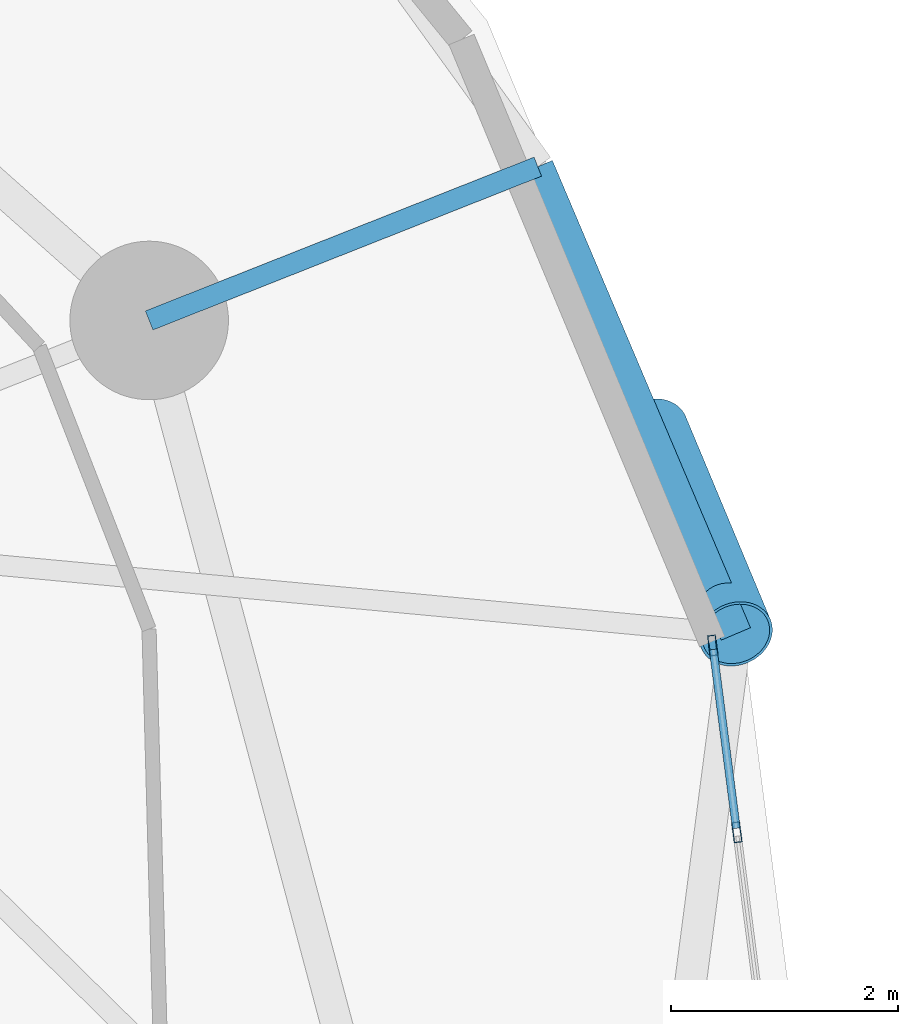
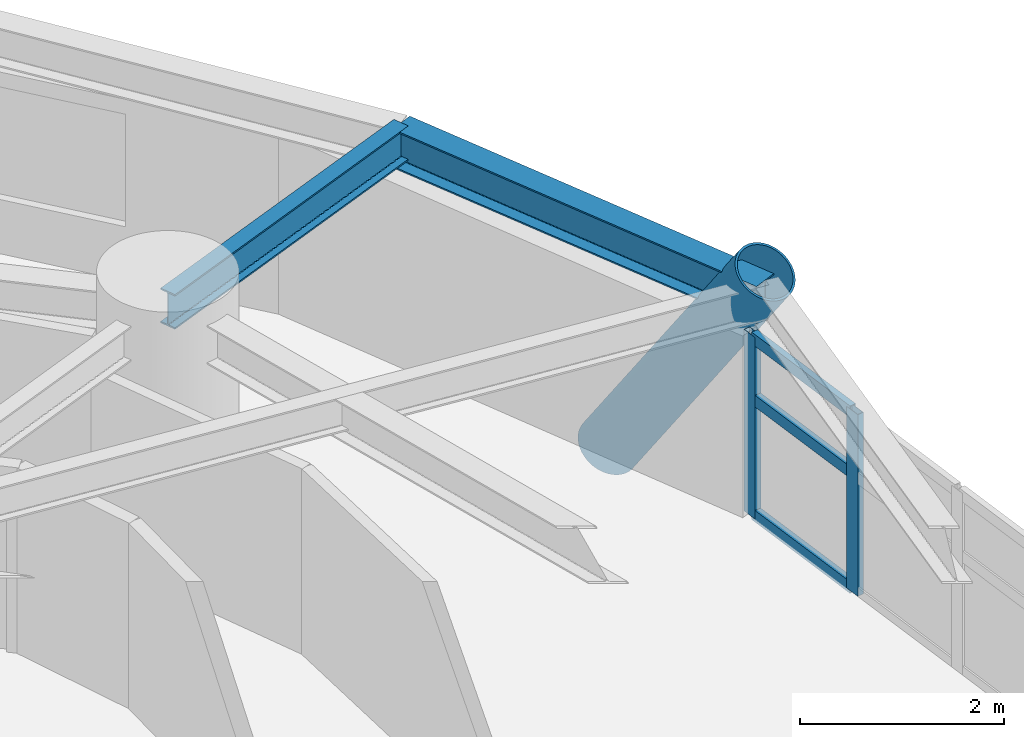
# One storey, part 4 of 17: 6 members, 2 beams, 1 element without a shape of its own.
"""IFC4 building model written with IfcOpenShell, lengths in metres."""

from ifc_helpers import new_model, si_unit, direction, frame, origin, origin_2d, place, context, subcontext, project, spatial, hollow_rectangle, hollow_circle, i_section, extrude, material, layer, layer_set, material_profile, profile_set, type_object, element, aggregate, save


model = new_model("IFC4")

# Units and contexts
model_context = context("Model", 3, precision=1e-05, world=origin(), true_north=direction((0.0, 1.0)))
body_context = subcontext(model_context, "Body", "Model", "MODEL_VIEW")
ifc_project = project(units=[si_unit("LENGTHUNIT", "METRE"), si_unit("AREAUNIT", "SQUARE_METRE"), si_unit("VOLUMEUNIT", "CUBIC_METRE"), si_unit("PLANEANGLEUNIT", "RADIAN"), si_unit("MASSUNIT", "GRAM", prefix="KILO")], contexts=[model_context])

# Site, building, storey
site_placement = place(None, origin())
site = spatial("IfcSite", under=ifc_project, at=site_placement, CompositionType="ELEMENT")
building_placement = place(site_placement, origin())
building = spatial("IfcBuilding", under=site, at=building_placement, Name="Cununo Teusaquillo Station Towers", CompositionType="ELEMENT")
storey_placement = place(building_placement, frame((0.0, 0.0, 90.52001953125)))
storey = spatial("IfcBuildingStorey", under=building, at=storey_placement, Name="L28", CompositionType="ELEMENT", Elevation=90.52001953125)

# Beams
ifc_material_1 = material(Name="Steel ASTM A572 Grade 50", Category="steel")
ifc_material_profile_1 = material_profile(ifc_material_1, i_section(OverallWidth=0.180908203125, OverallDepth=0.4169921875, WebThickness=0.010986328125, FlangeThickness=0.018310546875, FilletRadius=0.012939453125, at=origin_2d()), Name="W16X57")
ifc_profile_set_1 = profile_set([ifc_material_profile_1], Name="Steel ASTM A572 Grade 50")
beam_type_1 = type_object("IfcBeamType", Name="BM-RAD-G2", PredefinedType="BEAM", material=ifc_profile_set_1)
beam_1_placement = place(storey_placement, frame((26.347412109375, 33.228515625, 2.46142578125), z_axis=(0.929861788731, 0.367909029323, 0.0), x_axis=(-0.367909029323, 0.929861788731, 0.0)))
element("IfcBeam", 1, at=beam_1_placement, inside=storey, type_object=beam_type_1, Name="L28 Tower A Perimeter Overhang Girder 02B", PredefinedType="BEAM", context=body_context, shape_type="SweptSolid", body=[
    extrude(i_section(OverallWidth=0.180908203125, OverallDepth=0.4169921875, WebThickness=0.010986328125, FlangeThickness=0.018310546875, FilletRadius=0.012939453125, at=origin_2d()), origin(), (0.0, 0.0, 1.0), 3.690185546875),
])
ifc_material_2 = material(Name="Steel ASTM A572 Grade 50", Category="steel")
ifc_material_profile_2 = material_profile(ifc_material_2, i_section(OverallWidth=0.280029296875, OverallDepth=0.462890625, WebThickness=0.0107421875, FlangeThickness=0.017333984375, FilletRadius=0.013916015625, at=origin_2d()), Name="W18X76")
ifc_profile_set_2 = profile_set([ifc_material_profile_2], Name="Steel ASTM A572 Grade 50")
beam_type_2 = type_object("IfcBeamType", Name="BM-RING-Z2", PredefinedType="SPANDREL", material=ifc_profile_set_2)
beam_2_placement = place(storey_placement, frame((31.527587890625, 30.4609375, 2.4384765625), z_axis=(-0.390299356049, 0.920688010494, 0.0), x_axis=(-0.920688010494, -0.390299356049, 0.0)))
element("IfcBeam", 2, at=beam_2_placement, inside=storey, type_object=beam_type_2, Name="L28 Tower A Spandrel Ring Beam 02", PredefinedType="SPANDREL", context=body_context, shape_type="SweptSolid", body=[
    extrude(i_section(OverallWidth=0.280029296875, OverallDepth=0.462890625, WebThickness=0.0107421875, FlangeThickness=0.017333984375, FilletRadius=0.013916015625, at=origin_2d()), origin(), (0.0, 0.0, 1.0), 4.480712890625),
])

# Curtain wall, members
ifc_material_3 = material(Name="Ceramic-fritted dark low-E double glazing", Category="glass")
ifc_layer = layer(ifc_material_3, 0.179931640625)
ifc_layer_set = layer_set([ifc_layer], Name="Ceramic-fritted dark low-E double glazing")
curtain_wall_type = type_object("IfcCurtainWallType", Name="CW-SYS-04", PredefinedType="USERDEFINED", material=ifc_layer_set)
curtain_wall_placement = place(storey_placement, origin())
curtain_wall = element("IfcCurtainWall", 3, at=curtain_wall_placement, inside=storey, type_object=curtain_wall_type, Name="L28 Tower A Facade Curtain Wall C00", ObjectType="FRITTED GLAZING", PredefinedType="USERDEFINED")
ifc_material_4 = material(Name="Anodised dark bronze aluminium EN AW-6063-T6", Category="aluminium")
ifc_material_profile_3 = material_profile(ifc_material_4, hollow_rectangle(XDim=0.070068359375, YDim=0.179931640625, WallThickness=0.00390625, at=origin_2d()), Name="CW-MULL-70x180")
ifc_profile_set_3 = profile_set([ifc_material_profile_3], Name="Anodised dark bronze aluminium EN AW-6063-T6")
member_type_1 = type_object("IfcMemberType", Name="CWM-180", PredefinedType="MULLION", material=ifc_profile_set_3)
member_1_placement = place(storey_placement, frame((31.322998046875, 30.3583984375, 0.0), z_axis=(0.0, 0.0, 1.0), x_axis=(0.991730764367, 0.128335852387, 0.0)))
member_1 = element("IfcMember", 4, at=member_1_placement, type_object=member_type_1, Name="CW-04 mullion 1", PredefinedType="MULLION", context=body_context, shape_type="SweptSolid", body=[
    extrude(hollow_rectangle(XDim=0.070068359375, YDim=0.179931640625, WallThickness=0.00390625, at=origin_2d()), origin(), (0.0, 0.0, 1.0), 2.178955078125),
])
member_2_placement = place(storey_placement, frame((31.5361328125, 28.709716796875, 0.0), z_axis=(0.0, 0.0, 1.0), x_axis=(0.991730764367, 0.128335852387, 0.0)))
member_2 = element("IfcMember", 5, at=member_2_placement, type_object=member_type_1, Name="CW-04 mullion 2", PredefinedType="MULLION", context=body_context, shape_type="SweptSolid", body=[
    extrude(hollow_rectangle(XDim=0.070068359375, YDim=0.179931640625, WallThickness=0.00390625, at=origin_2d()), origin(), (0.0, 0.0, 1.0), 2.178955078125),
])
ifc_material_5 = material(Name="Anodised dark bronze aluminium EN AW-6063-T6", Category="aluminium")
ifc_material_profile_4 = material_profile(ifc_material_5, hollow_rectangle(XDim=0.070068359375, YDim=0.139892578125, WallThickness=0.00390625, at=origin_2d()), Name="CW-TRAN-70x140")
ifc_profile_set_4 = profile_set([ifc_material_profile_4], Name="Anodised dark bronze aluminium EN AW-6063-T6")
member_type_2 = type_object("IfcMemberType", Name="CWT-140", PredefinedType="USERDEFINED", material=ifc_profile_set_4)
member_3_placement = place(storey_placement, frame((31.327392578125, 30.323486328125, 0.034912109375), z_axis=(0.128336210724, -0.991730717996, 0.0), x_axis=(0.991730717996, 0.128336210724, 0.0)))
member_3 = element("IfcMember", 6, at=member_3_placement, type_object=member_type_2, Name="CW-04 transom 1.1", ObjectType="TRANSOM", PredefinedType="USERDEFINED", context=body_context, shape_type="SweptSolid", body=[
    extrude(hollow_rectangle(XDim=0.070068359375, YDim=0.139892578125, WallThickness=0.00390625, at=origin_2d()), origin(), (0.0, 0.0, 1.0), 1.59228515625),
])
member_4_placement = place(storey_placement, frame((31.327392578125, 30.323486328125, 1.416015625), z_axis=(0.128336210724, -0.991730717996, 0.0), x_axis=(0.991730717996, 0.128336210724, 0.0)))
member_4 = element("IfcMember", 7, at=member_4_placement, type_object=member_type_2, Name="CW-04 transom 1.2", ObjectType="TRANSOM", PredefinedType="USERDEFINED", context=body_context, shape_type="SweptSolid", body=[
    extrude(hollow_rectangle(XDim=0.070068359375, YDim=0.139892578125, WallThickness=0.00390625, at=origin_2d()), origin(), (0.0, 0.0, 1.0), 1.59228515625),
])
member_5_placement = place(storey_placement, frame((31.327392578125, 30.323486328125, 2.14404296875), z_axis=(0.128336210724, -0.991730717996, 0.0), x_axis=(0.991730717996, 0.128336210724, 0.0)))
member_5 = element("IfcMember", 8, at=member_5_placement, type_object=member_type_2, Name="CW-04 transom 1.3", ObjectType="TRANSOM", PredefinedType="USERDEFINED", context=body_context, shape_type="SweptSolid", body=[
    extrude(hollow_rectangle(XDim=0.070068359375, YDim=0.139892578125, WallThickness=0.00390625, at=origin_2d()), origin(), (0.0, 0.0, 1.0), 1.59228515625),
])
aggregate(curtain_wall, [member_1, member_2, member_3, member_4, member_5])

# Member
ifc_material_6 = material(Name="Steel EN 10025-2 S355J2", Category="steel")
ifc_material_profile_5 = material_profile(ifc_material_6, hollow_circle(Radius=0.330078125, WallThickness=0.02490234375, at=origin_2d()), Name="CHS 660x25")
ifc_profile_set_5 = profile_set([ifc_material_profile_5], Name="Steel EN 10025-2 S355J2")
member_type_3 = type_object("IfcMemberType", Name="MBR-DIAG-Z2", PredefinedType="BRACE", material=ifc_profile_set_5)
member_6_placement = place(storey_placement, frame((30.779541015625, 32.25341796875, -0.14013671875), z_axis=(0.213801258435, -0.512313589893, 0.831759464931), x_axis=(0.922861086318, 0.385132983993, 0.0)))
element("IfcMember", 9, at=member_6_placement, inside=storey, type_object=member_type_3, Name="L28 Tower A Folded-Zigzag Diagrid Tube C01", PredefinedType="BRACE", context=body_context, shape_type="SweptSolid", body=[
    extrude(hollow_circle(Radius=0.330078125, WallThickness=0.02490234375, at=origin_2d()), origin(), (0.0, 0.0, 1.0), 3.498779296875),
])

save(model, "model.ifc")
